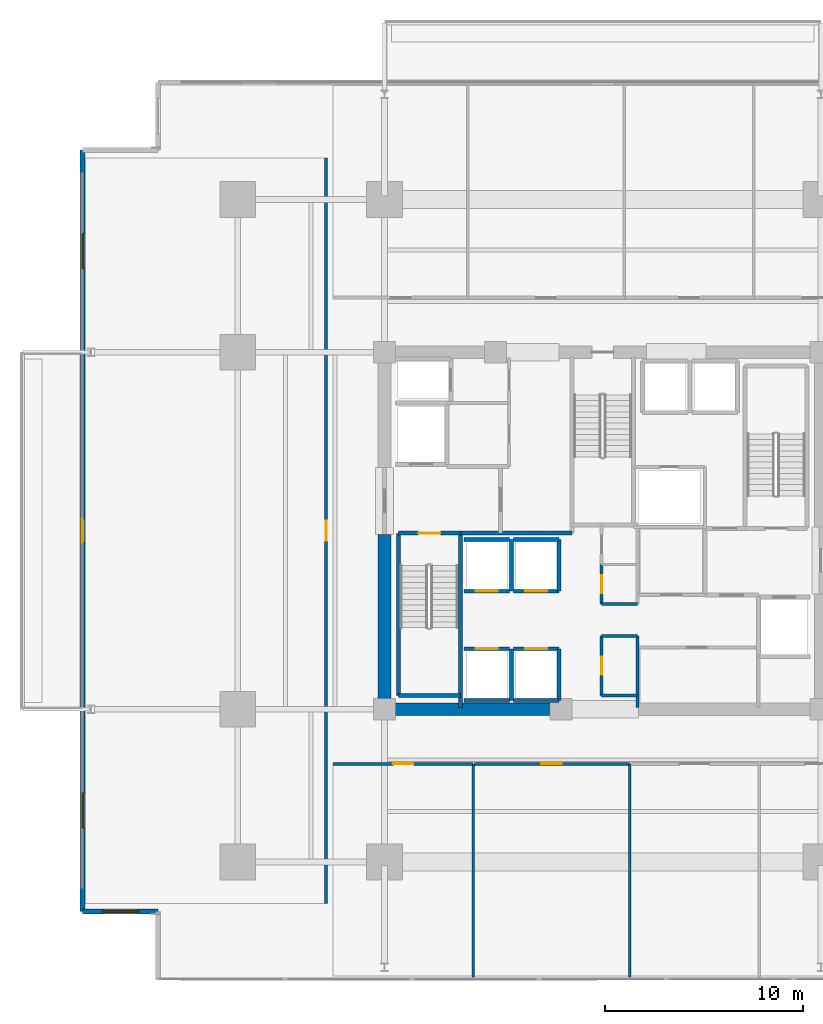
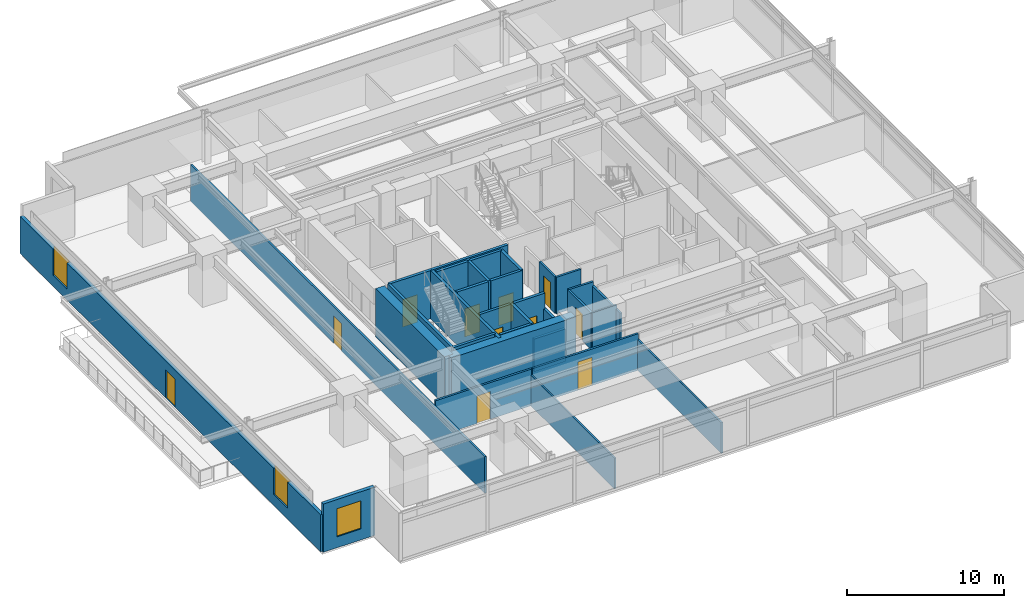
# One storey, part 15 of 22: 32 walls, 11 doors, 3 windows, 14 openings.
"""IFC4 building model written with IfcOpenShell, lengths in metres."""

import ifcopenshell
import ifcopenshell.guid

model = None  # the IFC model being written
_history = None  # IfcOwnerHistory: only IFC2X3 demands one
_inside = {}  # id of a spatial element -> (the spatial element, [elements in it])
_under = {}  # id of a project, library or spatial element -> (it, [spatial elements below it])
_declared = {}  # id of a project -> (the project, [libraries it declares])
_typed = {}  # id of a type object -> (the type object, [elements of that type])
_made_of = {}  # id of a material, layer set ... -> (it, [elements and type objects made of it])


def new_model(schema):
    """Start an empty IFC model of exactly this schema.

    Asked for "IFC4X3", IfcOpenShell would pick the latest addendum, in which some entities
    have other attributes; the version numbers below select the first issue.
    IFC2X3 requires an IfcOwnerHistory on every rooted entity: one is made here for all.
    """
    global model, _history
    if schema == "IFC4X3":
        model = ifcopenshell.file(schema_version=(4, 3, 0, 0))
    else:
        model = ifcopenshell.file(schema=schema)
    _inside.clear()
    _under.clear()
    _declared.clear()
    _typed.clear()
    _made_of.clear()
    _history = None
    if model.schema == "IFC2X3":
        org = make("IfcOrganization", Name="unknown")
        user = make(
            "IfcPersonAndOrganization",
            ThePerson=make("IfcPerson", FamilyName="unknown"),
            TheOrganization=org,
        )
        app = make(
            "IfcApplication",
            ApplicationDeveloper=org,
            Version="unknown",
            ApplicationFullName="unknown",
            ApplicationIdentifier="unknown",
        )
        _history = make(
            "IfcOwnerHistory",
            OwningUser=user,
            OwningApplication=app,
            ChangeAction="ADDED",
            CreationDate=0,
        )
    return model


def make(cls, **values):
    """One entity of the class cls with the attributes given. An attribute that is None is left unset."""
    return model.create_entity(
        cls, **{name: value for name, value in values.items() if value is not None}
    )


def rooted(cls, **values):
    """An entity with a GlobalId (a new one), such as an element, a storey or a relation."""
    return make(cls, GlobalId=ifcopenshell.guid.new(), OwnerHistory=_history, **values)


def si_unit(unit_type, name, prefix=None):
    """IfcSIUnit, for example si_unit("LENGTHUNIT", "METRE", prefix="MILLI")."""
    return make("IfcSIUnit", UnitType=unit_type, Prefix=prefix, Name=name)


def assignment(units):
    """IfcUnitAssignment: the units of a project."""
    return None if units is None else make("IfcUnitAssignment", Units=units)


def point(xyz):
    """IfcCartesianPoint."""
    return None if xyz is None else make("IfcCartesianPoint", Coordinates=xyz)


def direction(xyz):
    """IfcDirection."""
    return None if xyz is None else make("IfcDirection", DirectionRatios=xyz)


def frame(location, z_axis=None, x_axis=None):
    """IfcAxis2Placement3D, a coordinate frame: its origin and axes. An axis left out is left unset."""
    return make(
        "IfcAxis2Placement3D",
        Location=point(location),
        Axis=direction(z_axis),
        RefDirection=direction(x_axis),
    )


def frame_2d(location, x_axis=None):
    """IfcAxis2Placement2D, a coordinate frame in the plane: its origin and x axis."""
    return make(
        "IfcAxis2Placement2D", Location=point(location), RefDirection=direction(x_axis)
    )


def origin():
    """The frame at (0, 0, 0) with its axes left unset."""
    return frame((0.0, 0.0, 0.0))


def place(relative_to, where):
    """IfcLocalPlacement: puts the frame where relative to a parent placement (None: the world)."""
    return make(
        "IfcLocalPlacement", PlacementRelTo=relative_to, RelativePlacement=where
    )


def context(
    kind, dimensions, precision=None, world=None, true_north=None, identifier=None
):
    """IfcGeometricRepresentationContext, for example the 3D "Model" context."""
    return make(
        "IfcGeometricRepresentationContext",
        ContextIdentifier=identifier,
        ContextType=kind,
        CoordinateSpaceDimension=dimensions,
        Precision=precision,
        WorldCoordinateSystem=world,
        TrueNorth=true_north,
    )


def subcontext(parent, identifier, kind, view, scale=None):
    """IfcGeometricRepresentationSubContext, for example "Body" below "Model"."""
    return make(
        "IfcGeometricRepresentationSubContext",
        ContextIdentifier=identifier,
        ContextType=kind,
        ParentContext=parent,
        TargetScale=scale,
        TargetView=view,
    )


def project(units=None, contexts=None):
    """IfcProject with its units and contexts."""
    return rooted(
        "IfcProject",
        Name="project",
        RepresentationContexts=contexts,
        UnitsInContext=assignment(units),
    )


def spatial(cls, under=None, at=None, **own):
    """A site, building, storey or space (cls), placed at a placement, below another one or the project."""
    s = rooted(cls, ObjectPlacement=at, **own)
    if under is not None:
        _under.setdefault(under.id(), (under, []))[1].append(s)
    return s


def profile(cls, at=None, kind="AREA", **sizes):
    """A parametric profile (cls). Its sizes go by their IFC names, for example OverallWidth=200.0."""
    return make(cls, ProfileType=kind, Position=at, **sizes)


def rectangle(**sizes):
    """IfcRectangleProfileDef."""
    return profile("IfcRectangleProfileDef", **sizes)


def extrude(swept, where, along, depth):
    """IfcExtrudedAreaSolid: the profile swept, set in the frame where, extruded along a direction by depth."""
    return make(
        "IfcExtrudedAreaSolid",
        SweptArea=swept,
        Position=where,
        ExtrudedDirection=direction(along),
        Depth=depth,
    )


def shape(context_of_items, identifier, shape_type, items):
    """IfcShapeRepresentation: the items that make up one representation, for example the "Body"."""
    return make(
        "IfcShapeRepresentation",
        ContextOfItems=context_of_items,
        RepresentationIdentifier=identifier,
        RepresentationType=shape_type,
        Items=items,
    )


def material(Name=None, Category=None):
    """IfcMaterial."""
    return make("IfcMaterial", Name=Name, Category=Category)


def layer(
    of_material, thickness, ventilated=None, Name=None, Category=None, Priority=None
):
    """IfcMaterialLayer: one layer of a wall or slab, of a material (None: an air gap)."""
    return make(
        "IfcMaterialLayer",
        Material=of_material,
        LayerThickness=thickness,
        IsVentilated=ventilated,
        Name=Name,
        Category=Category,
        Priority=Priority,
    )


def layer_set(layers, Name=None):
    """IfcMaterialLayerSet."""
    return make("IfcMaterialLayerSet", MaterialLayers=layers, LayerSetName=Name)


def made_of(thing, what):
    """Note that an element or type object is made of a material, layer set ...; save() writes the relation."""
    if what is not None:
        _made_of.setdefault(what.id(), (what, []))[1].append(thing)
    return thing


def type_object(cls, material=None, **own):
    """A type object (cls), such as IfcWallType, which elements share."""
    return made_of(rooted(cls, **own), material)


def element(
    cls,
    number,
    at=None,
    inside=None,
    cuts=None,
    type_object=None,
    material=None,
    context=None,
    identifier="Body",
    shape_type=None,
    held_by="IfcProductDefinitionShape",
    body=None,
    shapes=None,
    **own,
):
    """One element of the class cls, such as IfcWall. Its Tag is "e" and its number.

    at: its placement. inside: the storey or other place that contains it. cuts: it is an
    opening in that element (IfcRelVoidsElement). A single representation is given by context,
    identifier, shape_type and body (its items); several are given by shapes. held_by: the class
    of the entity that holds the representations. save() writes the other relations.
    """
    e = rooted(cls, Tag="e%d" % number, ObjectPlacement=at, **own)
    if body is not None:
        shapes = [shape(context, identifier, shape_type, body)]
    if shapes is not None:
        e.Representation = make(held_by, Representations=shapes)
    if inside is not None:
        _inside.setdefault(inside.id(), (inside, []))[1].append(e)
    if cuts is not None:
        rooted(
            "IfcRelVoidsElement", RelatingBuildingElement=cuts, RelatedOpeningElement=e
        )
    if type_object is not None:
        _typed.setdefault(type_object.id(), (type_object, []))[1].append(e)
    return made_of(e, material)


def fill(opening, filler):
    """IfcRelFillsElement: the door or window that sits in an opening."""
    return rooted(
        "IfcRelFillsElement",
        RelatingOpeningElement=opening,
        RelatedBuildingElement=filler,
    )


def aggregate(whole, parts):
    """IfcRelAggregates: a whole, such as a stair, and the parts it consists of."""
    return rooted("IfcRelAggregates", RelatingObject=whole, RelatedObjects=parts)


def save(model, path):
    """Write the relations noted so far, then the file.

    IfcRelAggregates (storeys below a building ...), IfcRelContainedInSpatialStructure (elements
    in a storey), IfcRelDefinesByType, IfcRelAssociatesMaterial and IfcRelDeclares: one each for
    every whole, place, type object, material and project.
    """
    for whole, parts in _under.values():
        aggregate(whole, parts)
    for where, things in _inside.values():
        rooted(
            "IfcRelContainedInSpatialStructure",
            RelatedElements=things,
            RelatingStructure=where,
        )
    for kind, things in _typed.values():
        rooted("IfcRelDefinesByType", RelatedObjects=things, RelatingType=kind)
    for what, things in _made_of.values():
        rooted("IfcRelAssociatesMaterial", RelatedObjects=things, RelatingMaterial=what)
    for by, libraries in _declared.values():
        rooted("IfcRelDeclares", RelatingContext=by, RelatedDefinitions=libraries)
    model.write(path)


model = new_model("IFC4")

# Units and contexts
model_context = context("Model", 3, precision=1e-05, world=origin(), true_north=direction((0.0, 1.0)))
body_context = subcontext(model_context, "Body", "Model", "MODEL_VIEW")
ifc_project = project(units=[si_unit("LENGTHUNIT", "METRE"), si_unit("AREAUNIT", "SQUARE_METRE"), si_unit("VOLUMEUNIT", "CUBIC_METRE"), si_unit("PLANEANGLEUNIT", "RADIAN"), si_unit("MASSUNIT", "GRAM", prefix="KILO")], contexts=[model_context])

# Site, building, storey
site_placement = place(None, origin())
site = spatial("IfcSite", under=ifc_project, at=site_placement, CompositionType="ELEMENT")
building_placement = place(site_placement, origin())
building = spatial("IfcBuilding", under=site, at=building_placement, Name="Kovane Verandah Tower", CompositionType="ELEMENT")
storey_placement = place(building_placement, frame((0.0, 0.0, 79.60009765625)))
storey = spatial("IfcBuildingStorey", under=building, at=storey_placement, Name="L18", CompositionType="ELEMENT", Elevation=79.60009765625)

# Walls
ifc_material_1 = material(Name="Fire-Rated Gypsum Stud Partition", Category="gypsum")
ifc_layer_1 = layer(ifc_material_1, 0.14990234375)
ifc_layer_set_1 = layer_set([ifc_layer_1], Name="Fire-Rated Gypsum Stud Partition")
wall_type_1 = type_object("IfcWallType", Name="WL-COR-150", PredefinedType="PARTITIONING", material=ifc_layer_set_1)
for number, where, z_axis, x_axis, name in (
    (1, (39.949951171875, 19.199951171875, 0.0), (0.0, 0.0, 1.0), (1.0, 0.0, 0.0), "L18 Central Core Strip South Wall"),
    (2, (39.949951171875, 22.199951171875, 0.0), (0.0, 0.0, 1.0), (1.0, 0.0, 0.0), "L18 Core Cross-Passage South Wall"),
    (3, (39.949951171875, 23.800048828125, 0.0), (0.0, 0.0, 1.0), (1.0, 0.0, 0.0), "L18 Core Cross-Passage North Wall"),
):
    element("IfcWall", number, at=place(storey_placement, frame(where, z_axis=z_axis, x_axis=x_axis)), inside=storey, type_object=wall_type_1, Name=name, PredefinedType="PARTITIONING", context=body_context, shape_type="SweptSolid", body=[
        extrude(rectangle(XDim=1.81005859375, YDim=0.14990234375, at=frame_2d((0.905029296875, 0.0))), origin(), (0.0, 0.0, 1.0), 2.849853515625),
    ])
wall_1_placement = place(storey_placement, frame((41.760009765625, 18.60009765625, 0.0), z_axis=(0.0, 0.0, 1.0), x_axis=(0.0, 1.0, 0.0)))
element("IfcWall", 4, at=wall_1_placement, inside=storey, type_object=wall_type_1, Name="L18 Central Core Strip Lower East Wall", PredefinedType="PARTITIONING", context=body_context, shape_type="SweptSolid", body=[
    extrude(rectangle(XDim=3.599853515625, YDim=0.14990234375, at=frame_2d((1.7998046875, 0.0))), origin(), (0.0, 0.0, 1.0), 2.539794921875),
])

# Wall, opening, door
wall_2_placement = place(storey_placement, frame((39.949951171875, 19.199951171875, 0.0), z_axis=(0.0, 0.0, 1.0), x_axis=(0.0, 1.0, 0.0)))
wall_2 = element("IfcWall", 5, at=wall_2_placement, inside=storey, type_object=wall_type_1, Name="L18 Male Toilet Partition", PredefinedType="PARTITIONING", context=body_context, shape_type="SweptSolid", body=[
    extrude(rectangle(XDim=3.0, YDim=0.14990234375, at=frame_2d((1.5, 0.0))), origin(), (0.0, 0.0, 1.0), 2.849853515625),
])
opening_1_placement = place(wall_2_placement, frame((1.050048828125, 0.0, 0.0)))
opening_1 = element("IfcOpeningElement", 6, at=opening_1_placement, cuts=wall_2, Name="Opening DR-L18-028", PredefinedType="OPENING", context=body_context, shape_type="SweptSolid", body=[
    extrude(rectangle(XDim=0.89990234375, YDim=2.10009765625, at=frame_2d((0.449951171875, 1.050048828125))), frame((0.0, 0.074951171875, 0.0), z_axis=(0.0, -1.0, 0.0), x_axis=(1.0, 0.0, 0.0)), (0.0, 0.0, 1.0), 0.14990234375),
])
ifc_material_2 = material(Name="Moisture-Resistant Laminate Washroom Door", Category="wood")
door_type_1 = type_object("IfcDoorType", Name="DR-WC-900", OperationType="SINGLE_SWING_LEFT", PredefinedType="DOOR", material=ifc_material_2)
door_1_placement = place(opening_1_placement, origin())
door_1 = element("IfcDoor", 7, at=door_1_placement, inside=storey, type_object=door_type_1, Name="L18 Male Toilet Door", OperationType="SINGLE_SWING_RIGHT", OverallHeight=2.10009765625, OverallWidth=0.89990234375, PredefinedType="DOOR", context=body_context, shape_type="SweptSolid", body=[
    extrude(rectangle(XDim=0.89990234375, YDim=2.10009765625, at=frame_2d((0.449951171875, 1.050048828125))), frame((0.0, 0.02490234375, 0.0), z_axis=(0.0, -1.0, 0.0), x_axis=(1.0, 0.0, 0.0)), (0.0, 0.0, 1.0), 0.050048828125),
])
fill(opening_1, door_1)

wall_3_placement = place(storey_placement, frame((39.949951171875, 23.800048828125, 0.0), z_axis=(0.0, 0.0, 1.0), x_axis=(0.0, 1.0, 0.0)))
wall_3 = element("IfcWall", 8, at=wall_3_placement, inside=storey, type_object=wall_type_1, Name="L18 Female Toilet Partition", PredefinedType="PARTITIONING", context=body_context, shape_type="SweptSolid", body=[
    extrude(rectangle(XDim=2.0, YDim=0.14990234375, at=frame_2d((1.0, 0.0))), origin(), (0.0, 0.0, 1.0), 2.849853515625),
])
opening_2_placement = place(wall_3_placement, frame((0.550048828125, 0.0, 0.0)))
opening_2 = element("IfcOpeningElement", 9, at=opening_2_placement, cuts=wall_3, Name="Opening DR-L18-027", PredefinedType="OPENING", context=body_context, shape_type="SweptSolid", body=[
    extrude(rectangle(XDim=0.89990234375, YDim=2.10009765625, at=frame_2d((0.449951171875, 1.050048828125))), frame((0.0, 0.074951171875, 0.0), z_axis=(0.0, -1.0, 0.0), x_axis=(1.0, 0.0, 0.0)), (0.0, 0.0, 1.0), 0.14990234375),
])
door_2_placement = place(opening_2_placement, origin())
door_2 = element("IfcDoor", 10, at=door_2_placement, inside=storey, type_object=door_type_1, Name="L18 Female Toilet Door", OperationType="SINGLE_SWING_LEFT", OverallHeight=2.10009765625, OverallWidth=0.89990234375, PredefinedType="DOOR", context=body_context, shape_type="SweptSolid", body=[
    extrude(rectangle(XDim=0.89990234375, YDim=2.10009765625, at=frame_2d((0.449951171875, 1.050048828125))), frame((0.0, 0.02490234375, 0.0), z_axis=(0.0, -1.0, 0.0), x_axis=(1.0, 0.0, 0.0)), (0.0, 0.0, 1.0), 0.050048828125),
])
fill(opening_2, door_2)

wall_4_placement = place(storey_placement, frame((26.39990234375, 15.75, 0.0), z_axis=(0.0, 0.0, 1.0), x_axis=(1.0, 0.0, 0.0)))
wall_4 = element("IfcWall", 11, at=wall_4_placement, inside=storey, type_object=wall_type_1, Name="L18 Open Plan Office S1 Corridor Partition", PredefinedType="PARTITIONING", context=body_context, shape_type="SweptSolid", body=[
    extrude(rectangle(XDim=7.072021484375, YDim=0.14990234375, at=frame_2d((3.5361328125, 0.0))), origin(), (0.0, 0.0, 1.0), 2.849853515625),
])
opening_3_placement = place(wall_4_placement, frame((3.051025390625, 0.0, 0.0)))
opening_3 = element("IfcOpeningElement", 12, at=opening_3_placement, cuts=wall_4, Name="Opening DR-L18-021", PredefinedType="OPENING", context=body_context, shape_type="SweptSolid", body=[
    extrude(rectangle(XDim=1.0, YDim=2.14990234375, at=frame_2d((0.5, 1.074951171875))), frame((0.0, 0.074951171875, 0.0), z_axis=(0.0, -1.0, 0.0), x_axis=(1.0, 0.0, 0.0)), (0.0, 0.0, 1.0), 0.14990234375),
])
ifc_material_3 = material(Name="FSC Spotted-Gum Timber Fire-Rated Office Door", Category="wood")
door_type_2 = type_object("IfcDoorType", Name="DR-OFF-1000", OperationType="SINGLE_SWING_LEFT", PredefinedType="DOOR", material=ifc_material_3)
door_3_placement = place(opening_3_placement, origin())
door_3 = element("IfcDoor", 13, at=door_3_placement, inside=storey, type_object=door_type_2, Name="L18 Open Plan Office S1 Entrance Door", OperationType="SINGLE_SWING_RIGHT", OverallHeight=2.14990234375, OverallWidth=1.0, PredefinedType="DOOR", context=body_context, shape_type="SweptSolid", body=[
    extrude(rectangle(XDim=1.0, YDim=2.14990234375, at=frame_2d((0.5, 1.074951171875))), frame((0.0, 0.02490234375, 0.0), z_axis=(0.0, -1.0, 0.0), x_axis=(1.0, 0.0, 0.0)), (0.0, 0.0, 1.0), 0.050048828125),
])
fill(opening_3, door_3)

wall_5_placement = place(storey_placement, frame((33.5419921875, 15.75, 0.0), z_axis=(0.0, 0.0, 1.0), x_axis=(1.0, 0.0, 0.0)))
wall_5 = element("IfcWall", 14, at=wall_5_placement, inside=storey, type_object=wall_type_1, Name="L18 Executive Office S2 Corridor Partition", PredefinedType="PARTITIONING", context=body_context, shape_type="SweptSolid", body=[
    extrude(rectangle(XDim=7.818115234375, YDim=0.14990234375, at=frame_2d((3.9091796875, 0.0))), origin(), (0.0, 0.0, 1.0), 2.849853515625),
])
opening_4_placement = place(wall_5_placement, frame((3.34912109375, 0.0, 0.0)))
opening_4 = element("IfcOpeningElement", 15, at=opening_4_placement, cuts=wall_5, Name="Opening DR-L18-022", PredefinedType="OPENING", context=body_context, shape_type="SweptSolid", body=[
    extrude(rectangle(XDim=1.050048828125, YDim=2.199951171875, at=frame_2d((0.52490234375, 1.10009765625))), frame((0.0, 0.074951171875, 0.0), z_axis=(0.0, -1.0, 0.0), x_axis=(1.0, 0.0, 0.0)), (0.0, 0.0, 1.0), 0.14990234375),
])
ifc_material_4 = material(Name="FSC Blackbutt Timber Fire-Rated Executive Door", Category="wood")
door_type_3 = type_object("IfcDoorType", Name="DR-EXEC-1050", OperationType="SINGLE_SWING_LEFT", PredefinedType="DOOR", material=ifc_material_4)
door_4_placement = place(opening_4_placement, origin())
door_4 = element("IfcDoor", 16, at=door_4_placement, inside=storey, type_object=door_type_3, Name="L18 Executive Office S2 Entrance Door", OperationType="SINGLE_SWING_LEFT", OverallHeight=2.199951171875, OverallWidth=1.050048828125, PredefinedType="DOOR", context=body_context, shape_type="SweptSolid", body=[
    extrude(rectangle(XDim=1.050048828125, YDim=2.199951171875, at=frame_2d((0.52490234375, 1.10009765625))), frame((0.0, 0.02490234375, 0.0), z_axis=(0.0, -1.0, 0.0), x_axis=(1.0, 0.0, 0.0)), (0.0, 0.0, 1.0), 0.050048828125),
])
fill(opening_4, door_4)

wall_6_placement = place(storey_placement, frame((26.050048828125, 8.699951171875, 0.0), z_axis=(0.0, 0.0, 1.0), x_axis=(0.0, 1.0, 0.0)))
wall_6 = element("IfcWall", 17, at=wall_6_placement, inside=storey, type_object=wall_type_1, Name="L18 Focus Studio W1 Corridor Partition", PredefinedType="PARTITIONING", context=body_context, shape_type="SweptSolid", body=[
    extrude(rectangle(XDim=37.60009765625, YDim=0.14990234375, at=frame_2d((18.800048828125, 0.0))), origin(), (0.0, 0.0, 1.0), 2.849853515625),
])
opening_5_placement = place(wall_6_placement, frame((18.300048828125, 0.0, 0.0)))
opening_5 = element("IfcOpeningElement", 18, at=opening_5_placement, cuts=wall_6, Name="Opening DR-L18-029", PredefinedType="OPENING", context=body_context, shape_type="SweptSolid", body=[
    extrude(rectangle(XDim=1.0, YDim=2.14990234375, at=frame_2d((0.5, 1.074951171875))), frame((0.0, 0.074951171875, 0.0), z_axis=(0.0, -1.0, 0.0), x_axis=(1.0, 0.0, 0.0)), (0.0, 0.0, 1.0), 0.14990234375),
])
door_5_placement = place(opening_5_placement, origin())
door_5 = element("IfcDoor", 19, at=door_5_placement, inside=storey, type_object=door_type_2, Name="L18 Focus Studio W1 Entrance Door", OperationType="SINGLE_SWING_RIGHT", OverallHeight=2.14990234375, OverallWidth=1.0, PredefinedType="DOOR", context=body_context, shape_type="SweptSolid", body=[
    extrude(rectangle(XDim=1.0, YDim=2.14990234375, at=frame_2d((0.5, 1.074951171875))), frame((0.0, 0.02490234375, 0.0), z_axis=(0.0, -1.0, 0.0), x_axis=(1.0, 0.0, 0.0)), (0.0, 0.0, 1.0), 0.050048828125),
])
fill(opening_5, door_5)

# Walls
ifc_material_5 = material(Name="Concrete C80/95", Category="concrete")
ifc_layer_2 = layer(ifc_material_5, 0.64990234375)
ifc_layer_set_2 = layer_set([ifc_layer_2], Name="Concrete C80/95")
wall_type_2 = type_object("IfcWallType", Name="WL-CORE-650", PredefinedType="SHEAR", material=ifc_layer_set_2)
wall_7_placement = place(storey_placement, frame((29.0, 18.5, 0.0), z_axis=(0.0, 0.0, 1.0), x_axis=(1.0, 0.0, 0.0)))
element("IfcWall", 20, at=wall_7_placement, inside=storey, type_object=wall_type_2, Name="L18 Core Shear Wall CS-1", PredefinedType="SHEAR", context=body_context, shape_type="SweptSolid", body=[
    extrude(rectangle(XDim=9.199951171875, YDim=0.64990234375, at=frame_2d((4.60009765625, 0.0))), origin(), (0.0, 0.0, 1.0), 3.760009765625),
])
wall_8_placement = place(storey_placement, frame((29.0, 18.5, 0.0), z_axis=(0.0, 0.0, 1.0), x_axis=(0.0, 1.0, 0.0)))
element("IfcWall", 21, at=wall_8_placement, inside=storey, type_object=wall_type_2, Name="L18 Core Shear Wall CW-1", PredefinedType="SHEAR", context=body_context, shape_type="SweptSolid", body=[
    extrude(rectangle(XDim=8.800048828125, YDim=0.64990234375, at=frame_2d((4.39990234375, 0.0))), origin(), (0.0, 0.0, 1.0), 3.760009765625),
])
ifc_material_6 = material(Name="Concrete C45/55 Fire Wall", Category="concrete")
ifc_layer_3 = layer(ifc_material_6, 0.199951171875)
ifc_layer_set_3 = layer_set([ifc_layer_3], Name="Concrete C45/55 Fire Wall")
wall_type_3 = type_object("IfcWallType", Name="WL-FFL-200", PredefinedType="PARTITIONING", material=ifc_layer_set_3)
wall_9_placement = place(storey_placement, frame((32.820068359375, 27.3798828125, 0.0), z_axis=(0.0, 0.0, 1.0), x_axis=(1.0, 0.0, 0.0)))
element("IfcWall", 22, at=wall_9_placement, inside=storey, type_object=wall_type_3, Name="L18 West Firefighting Lobby South Fire Wall", PredefinedType="PARTITIONING", context=body_context, shape_type="SweptSolid", body=[
    extrude(rectangle(XDim=5.619873046875, YDim=0.199951171875, at=frame_2d((2.81005859375, 0.0))), origin(), (0.0, 0.0, 1.0), 3.760009765625),
])
ifc_material_7 = material(Name="Concrete C45/55 Lift Shaft Wall", Category="concrete")
ifc_layer_4 = layer(ifc_material_7, 0.199951171875)
ifc_layer_set_4 = layer_set([ifc_layer_4], Name="Concrete C45/55 Lift Shaft Wall")
wall_type_4 = type_object("IfcWallType", Name="WL-LIFT-200", PredefinedType="SOLIDWALL", material=ifc_layer_set_4)
wall_10_placement = place(storey_placement, frame((33.0, 18.949951171875, 0.0), z_axis=(0.0, 0.0, 1.0), x_axis=(1.0, 0.0, 0.0)))
element("IfcWall", 23, at=wall_10_placement, inside=storey, type_object=wall_type_4, Name="L18 Lift PL-L1 S Shaft Wall", PredefinedType="SOLIDWALL", context=body_context, shape_type="SweptSolid", body=[
    extrude(rectangle(XDim=2.300048828125, YDim=0.199951171875, at=frame_2d((1.14990234375, 0.0))), origin(), (0.0, 0.0, 1.0), 3.760009765625),
])

# Wall, opening, door
wall_11_placement = place(storey_placement, frame((35.300048828125, 21.550048828125, 0.0), z_axis=(0.0, 0.0, 1.0), x_axis=(-1.0, 0.0, 0.0)))
wall_11 = element("IfcWall", 24, at=wall_11_placement, inside=storey, type_object=wall_type_4, Name="L18 Lift PL-L1 N Shaft Wall", PredefinedType="SOLIDWALL", context=body_context, shape_type="SweptSolid", body=[
    extrude(rectangle(XDim=2.300048828125, YDim=0.199951171875, at=frame_2d((1.14990234375, 0.0))), origin(), (0.0, 0.0, 1.0), 3.760009765625),
])
opening_6_placement = place(wall_11_placement, frame((0.60009765625, 0.0, 0.0)))
opening_6 = element("IfcOpeningElement", 25, at=opening_6_placement, cuts=wall_11, Name="Opening LD-L18-004", PredefinedType="OPENING", context=body_context, shape_type="SweptSolid", body=[
    extrude(rectangle(XDim=1.10009765625, YDim=2.199951171875, at=frame_2d((0.550048828125, 1.10009765625))), frame((0.0, 0.10009765625, 0.0), z_axis=(0.0, -1.0, 0.0), x_axis=(1.0, 0.0, 0.0)), (0.0, 0.0, 1.0), 0.199951171875),
])
ifc_material_8 = material(Name="Brushed Stainless Steel Sliding Lift Landing Door", Category="steel")
door_type_4 = type_object("IfcDoorType", Name="DR-LIFT-1100", OperationType="SLIDING_TO_RIGHT", PredefinedType="DOOR", material=ifc_material_8)
door_6_placement = place(opening_6_placement, origin())
door_6 = element("IfcDoor", 26, at=door_6_placement, inside=storey, type_object=door_type_4, Name="L18 Lift PL-L1 Sliding Landing Door", OperationType="SLIDING_TO_RIGHT", OverallHeight=2.199951171875, OverallWidth=1.10009765625, PredefinedType="DOOR", context=body_context, shape_type="SweptSolid", body=[
    extrude(rectangle(XDim=1.10009765625, YDim=2.199951171875, at=frame_2d((0.550048828125, 1.10009765625))), frame((0.0, 0.02490234375, 0.0), z_axis=(0.0, -1.0, 0.0), x_axis=(1.0, 0.0, 0.0)), (0.0, 0.0, 1.0), 0.050048828125),
])
fill(opening_6, door_6)

# Walls
wall_12_placement = place(storey_placement, frame((35.39990234375, 18.949951171875, 0.0), z_axis=(0.0, 0.0, 1.0), x_axis=(0.0, 1.0, 0.0)))
element("IfcWall", 27, at=wall_12_placement, inside=storey, type_object=wall_type_4, Name="L18 Lift PL-L1 and PL-L2 Shared Shaft Wall", PredefinedType="SOLIDWALL", context=body_context, shape_type="SweptSolid", body=[
    extrude(rectangle(XDim=2.60009765625, YDim=0.199951171875, at=frame_2d((1.300048828125, 0.0))), origin(), (0.0, 0.0, 1.0), 3.760009765625),
])
wall_13_placement = place(storey_placement, frame((35.5, 18.949951171875, 0.0), z_axis=(0.0, 0.0, 1.0), x_axis=(1.0, 0.0, 0.0)))
element("IfcWall", 28, at=wall_13_placement, inside=storey, type_object=wall_type_4, Name="L18 Lift PL-L2 S Shaft Wall", PredefinedType="SOLIDWALL", context=body_context, shape_type="SweptSolid", body=[
    extrude(rectangle(XDim=2.300048828125, YDim=0.199951171875, at=frame_2d((1.14990234375, 0.0))), origin(), (0.0, 0.0, 1.0), 2.539794921875),
])

# Wall, opening, door
wall_14_placement = place(storey_placement, frame((37.800048828125, 21.550048828125, 0.0), z_axis=(0.0, 0.0, 1.0), x_axis=(-1.0, 0.0, 0.0)))
wall_14 = element("IfcWall", 29, at=wall_14_placement, inside=storey, type_object=wall_type_4, Name="L18 Lift PL-L2 N Shaft Wall", PredefinedType="SOLIDWALL", context=body_context, shape_type="SweptSolid", body=[
    extrude(rectangle(XDim=2.300048828125, YDim=0.199951171875, at=frame_2d((1.14990234375, 0.0))), origin(), (0.0, 0.0, 1.0), 3.760009765625),
])
opening_7_placement = place(wall_14_placement, frame((0.60009765625, 0.0, 0.0)))
opening_7 = element("IfcOpeningElement", 30, at=opening_7_placement, cuts=wall_14, Name="Opening LD-L18-005", PredefinedType="OPENING", context=body_context, shape_type="SweptSolid", body=[
    extrude(rectangle(XDim=1.10009765625, YDim=2.199951171875, at=frame_2d((0.550048828125, 1.10009765625))), frame((0.0, 0.10009765625, 0.0), z_axis=(0.0, -1.0, 0.0), x_axis=(1.0, 0.0, 0.0)), (0.0, 0.0, 1.0), 0.199951171875),
])
door_7_placement = place(opening_7_placement, origin())
door_7 = element("IfcDoor", 31, at=door_7_placement, inside=storey, type_object=door_type_4, Name="L18 Lift PL-L2 Sliding Landing Door", OperationType="SLIDING_TO_RIGHT", OverallHeight=2.199951171875, OverallWidth=1.10009765625, PredefinedType="DOOR", context=body_context, shape_type="SweptSolid", body=[
    extrude(rectangle(XDim=1.10009765625, YDim=2.199951171875, at=frame_2d((0.550048828125, 1.10009765625))), frame((0.0, 0.02490234375, 0.0), z_axis=(0.0, -1.0, 0.0), x_axis=(1.0, 0.0, 0.0)), (0.0, 0.0, 1.0), 0.050048828125),
])
fill(opening_7, door_7)

# Wall
wall_15_placement = place(storey_placement, frame((37.800048828125, 18.949951171875, 0.0), z_axis=(0.0, 0.0, 1.0), x_axis=(0.0, 1.0, 0.0)))
element("IfcWall", 32, at=wall_15_placement, inside=storey, type_object=wall_type_4, Name="L18 Lift PL-L2 E Shaft Wall", PredefinedType="SOLIDWALL", context=body_context, shape_type="SweptSolid", body=[
    extrude(rectangle(XDim=2.60009765625, YDim=0.199951171875, at=frame_2d((1.300048828125, 0.0))), origin(), (0.0, 0.0, 1.0), 2.539794921875),
])

# Wall, opening, door
wall_16_placement = place(storey_placement, frame((33.0, 24.449951171875, 0.0), z_axis=(0.0, 0.0, 1.0), x_axis=(1.0, 0.0, 0.0)))
wall_16 = element("IfcWall", 33, at=wall_16_placement, inside=storey, type_object=wall_type_4, Name="L18 Lift PL-L3 S Shaft Wall", PredefinedType="SOLIDWALL", context=body_context, shape_type="SweptSolid", body=[
    extrude(rectangle(XDim=2.300048828125, YDim=0.199951171875, at=frame_2d((1.14990234375, 0.0))), origin(), (0.0, 0.0, 1.0), 3.760009765625),
])
opening_8_placement = place(wall_16_placement, frame((0.60009765625, 0.0, 0.0)))
opening_8 = element("IfcOpeningElement", 34, at=opening_8_placement, cuts=wall_16, Name="Opening LD-L18-006", PredefinedType="OPENING", context=body_context, shape_type="SweptSolid", body=[
    extrude(rectangle(XDim=1.10009765625, YDim=2.199951171875, at=frame_2d((0.550048828125, 1.10009765625))), frame((0.0, 0.10009765625, 0.0), z_axis=(0.0, -1.0, 0.0), x_axis=(1.0, 0.0, 0.0)), (0.0, 0.0, 1.0), 0.199951171875),
])
door_8_placement = place(opening_8_placement, origin())
door_8 = element("IfcDoor", 35, at=door_8_placement, inside=storey, type_object=door_type_4, Name="L18 Lift PL-L3 Sliding Landing Door", OperationType="SLIDING_TO_RIGHT", OverallHeight=2.199951171875, OverallWidth=1.10009765625, PredefinedType="DOOR", context=body_context, shape_type="SweptSolid", body=[
    extrude(rectangle(XDim=1.10009765625, YDim=2.199951171875, at=frame_2d((0.550048828125, 1.10009765625))), frame((0.0, 0.02490234375, 0.0), z_axis=(0.0, -1.0, 0.0), x_axis=(1.0, 0.0, 0.0)), (0.0, 0.0, 1.0), 0.050048828125),
])
fill(opening_8, door_8)

# Walls
wall_17_placement = place(storey_placement, frame((35.300048828125, 27.050048828125, 0.0), z_axis=(0.0, 0.0, 1.0), x_axis=(-1.0, 0.0, 0.0)))
element("IfcWall", 36, at=wall_17_placement, inside=storey, type_object=wall_type_4, Name="L18 Lift PL-L3 N Shaft Wall", PredefinedType="SOLIDWALL", context=body_context, shape_type="SweptSolid", body=[
    extrude(rectangle(XDim=2.300048828125, YDim=0.199951171875, at=frame_2d((1.14990234375, 0.0))), origin(), (0.0, 0.0, 1.0), 3.760009765625),
])
wall_18_placement = place(storey_placement, frame((35.39990234375, 24.449951171875, 0.0), z_axis=(0.0, 0.0, 1.0), x_axis=(0.0, 1.0, 0.0)))
element("IfcWall", 37, at=wall_18_placement, inside=storey, type_object=wall_type_4, Name="L18 Lift PL-L3 and PL-L4 Shared Shaft Wall", PredefinedType="SOLIDWALL", context=body_context, shape_type="SweptSolid", body=[
    extrude(rectangle(XDim=2.60009765625, YDim=0.199951171875, at=frame_2d((1.300048828125, 0.0))), origin(), (0.0, 0.0, 1.0), 3.760009765625),
])

# Wall, opening, door
wall_19_placement = place(storey_placement, frame((35.5, 24.449951171875, 0.0), z_axis=(0.0, 0.0, 1.0), x_axis=(1.0, 0.0, 0.0)))
wall_19 = element("IfcWall", 38, at=wall_19_placement, inside=storey, type_object=wall_type_4, Name="L18 Lift PL-L4 S Shaft Wall", PredefinedType="SOLIDWALL", context=body_context, shape_type="SweptSolid", body=[
    extrude(rectangle(XDim=2.300048828125, YDim=0.199951171875, at=frame_2d((1.14990234375, 0.0))), origin(), (0.0, 0.0, 1.0), 3.760009765625),
])
opening_9_placement = place(wall_19_placement, frame((0.60009765625, 0.0, 0.0)))
opening_9 = element("IfcOpeningElement", 39, at=opening_9_placement, cuts=wall_19, Name="Opening LD-L18-007", PredefinedType="OPENING", context=body_context, shape_type="SweptSolid", body=[
    extrude(rectangle(XDim=1.10009765625, YDim=2.199951171875, at=frame_2d((0.550048828125, 1.10009765625))), frame((0.0, 0.10009765625, 0.0), z_axis=(0.0, -1.0, 0.0), x_axis=(1.0, 0.0, 0.0)), (0.0, 0.0, 1.0), 0.199951171875),
])
door_9_placement = place(opening_9_placement, origin())
door_9 = element("IfcDoor", 40, at=door_9_placement, inside=storey, type_object=door_type_4, Name="L18 Lift PL-L4 Sliding Landing Door", OperationType="SLIDING_TO_RIGHT", OverallHeight=2.199951171875, OverallWidth=1.10009765625, PredefinedType="DOOR", context=body_context, shape_type="SweptSolid", body=[
    extrude(rectangle(XDim=1.10009765625, YDim=2.199951171875, at=frame_2d((0.550048828125, 1.10009765625))), frame((0.0, 0.02490234375, 0.0), z_axis=(0.0, -1.0, 0.0), x_axis=(1.0, 0.0, 0.0)), (0.0, 0.0, 1.0), 0.050048828125),
])
fill(opening_9, door_9)

# Walls
wall_20_placement = place(storey_placement, frame((37.800048828125, 27.050048828125, 0.0), z_axis=(0.0, 0.0, 1.0), x_axis=(-1.0, 0.0, 0.0)))
element("IfcWall", 41, at=wall_20_placement, inside=storey, type_object=wall_type_4, Name="L18 Lift PL-L4 N Shaft Wall", PredefinedType="SOLIDWALL", context=body_context, shape_type="SweptSolid", body=[
    extrude(rectangle(XDim=2.300048828125, YDim=0.199951171875, at=frame_2d((1.14990234375, 0.0))), origin(), (0.0, 0.0, 1.0), 3.760009765625),
])
wall_21_placement = place(storey_placement, frame((37.800048828125, 24.449951171875, 0.0), z_axis=(0.0, 0.0, 1.0), x_axis=(0.0, 1.0, 0.0)))
element("IfcWall", 42, at=wall_21_placement, inside=storey, type_object=wall_type_4, Name="L18 Lift PL-L4 E Shaft Wall", PredefinedType="SOLIDWALL", context=body_context, shape_type="SweptSolid", body=[
    extrude(rectangle(XDim=2.60009765625, YDim=0.199951171875, at=frame_2d((1.300048828125, 0.0))), origin(), (0.0, 0.0, 1.0), 3.760009765625),
])
ifc_material_9 = material(Name="Acoustic Fire-Rated Gypsum Partition", Category="gypsum")
ifc_layer_5 = layer(ifc_material_9, 0.1201171875)
ifc_layer_set_5 = layer_set([ifc_layer_5], Name="Acoustic Fire-Rated Gypsum Partition")
wall_type_5 = type_object("IfcWallType", Name="WL-PART-120", PredefinedType="PARTITIONING", material=ifc_layer_set_5)
for number, where, z_axis, x_axis, name in (
    (43, (33.471923828125, 5.0, 0.0), (0.0, 0.0, 1.0), (0.0, 1.0, 0.0), "L18 Open Plan Office S1 Dividing Partition"),
    (44, (41.360107421875, 5.0, 0.0), (0.0, 0.0, 1.0), (0.0, 1.0, 0.0), "L18 Executive Office S2 Dividing Partition"),
):
    element("IfcWall", number, at=place(storey_placement, frame(where, z_axis=z_axis, x_axis=x_axis)), inside=storey, type_object=wall_type_5, Name=name, PredefinedType="PARTITIONING", context=body_context, shape_type="SweptSolid", body=[
        extrude(rectangle(XDim=10.75, YDim=0.1201171875, at=frame_2d((5.375, 0.0))), origin(), (0.0, 0.0, 1.0), 2.389892578125),
    ])
ifc_material_10 = material(Name="Concrete C45/55", Category="concrete")
ifc_layer_6 = layer(ifc_material_10, 0.199951171875)
ifc_layer_set_6 = layer_set([ifc_layer_6], Name="Concrete C45/55")
wall_type_6 = type_object("IfcWallType", Name="WL-SHAFT-200", PredefinedType="SOLIDWALL", material=ifc_layer_set_6)
wall_22_placement = place(storey_placement, frame((29.699951171875, 19.199951171875, 0.0), z_axis=(0.0, 0.0, 1.0), x_axis=(0.0, 1.0, 0.0)))
element("IfcWall", 45, at=wall_22_placement, inside=storey, type_object=wall_type_6, Name="W-L18-ST01-W", PredefinedType="SOLIDWALL", context=body_context, shape_type="SweptSolid", body=[
    extrude(rectangle(XDim=8.150146484375, YDim=0.199951171875, at=frame_2d((4.0751953125, 0.0))), origin(), (0.0, 0.0, 1.0), 3.760009765625),
])
wall_23_placement = place(storey_placement, frame((29.699951171875, 19.199951171875, 0.0), z_axis=(0.0, 0.0, 1.0), x_axis=(1.0, 0.0, 0.0)))
element("IfcWall", 46, at=wall_23_placement, inside=storey, type_object=wall_type_6, Name="W-L18-ST01-S", PredefinedType="SOLIDWALL", context=body_context, shape_type="SweptSolid", body=[
    extrude(rectangle(XDim=3.1201171875, YDim=0.199951171875, at=frame_2d((1.56005859375, 0.0))), origin(), (0.0, 0.0, 1.0), 3.760009765625),
])
wall_24_placement = place(storey_placement, frame((32.820068359375, 18.60009765625, 0.0), z_axis=(0.0, 0.0, 1.0), x_axis=(0.0, 1.0, 0.0)))
element("IfcWall", 47, at=wall_24_placement, inside=storey, type_object=wall_type_6, Name="W-L18-ST01-E", PredefinedType="SOLIDWALL", context=body_context, shape_type="SweptSolid", body=[
    extrude(rectangle(XDim=8.77978515625, YDim=0.199951171875, at=frame_2d((4.389892578125, 0.0))), origin(), (0.0, 0.0, 1.0), 3.760009765625),
])

# Wall, opening, door
wall_25_placement = place(storey_placement, frame((29.699951171875, 27.3798828125, 0.0), z_axis=(0.0, 0.0, 1.0), x_axis=(1.0, 0.0, 0.0)))
wall_25 = element("IfcWall", 48, at=wall_25_placement, inside=storey, type_object=wall_type_6, Name="W-L18-ST01-N", PredefinedType="SOLIDWALL", context=body_context, shape_type="SweptSolid", body=[
    extrude(rectangle(XDim=3.1201171875, YDim=0.199951171875, at=frame_2d((1.56005859375, 0.0))), origin(), (0.0, 0.0, 1.0), 3.760009765625),
])
opening_10_placement = place(wall_25_placement, frame((1.010009765625, 0.0, 0.0)))
opening_10 = element("IfcOpeningElement", 49, at=opening_10_placement, cuts=wall_25, Name="Opening DR-L18-009", PredefinedType="OPENING", context=body_context, shape_type="SweptSolid", body=[
    extrude(rectangle(XDim=1.10009765625, YDim=2.14990234375, at=frame_2d((0.550048828125, 1.074951171875))), frame((0.0, 0.10009765625, 0.0), z_axis=(0.0, -1.0, 0.0), x_axis=(1.0, 0.0, 0.0)), (0.0, 0.0, 1.0), 0.199951171875),
])
ifc_material_11 = material(Name="Fire-Rated Steel Exit Door", Category="steel")
door_type_5 = type_object("IfcDoorType", Name="DR-STAIR-1100", OperationType="SINGLE_SWING_LEFT", PredefinedType="DOOR", material=ifc_material_11)
door_10_placement = place(opening_10_placement, origin())
door_10 = element("IfcDoor", 50, at=door_10_placement, inside=storey, type_object=door_type_5, Name="L18 ST-01 Fire Exit Stair Door", OperationType="SINGLE_SWING_LEFT", OverallHeight=2.14990234375, OverallWidth=1.10009765625, PredefinedType="DOOR", context=body_context, shape_type="SweptSolid", body=[
    extrude(rectangle(XDim=1.10009765625, YDim=2.14990234375, at=frame_2d((0.550048828125, 1.074951171875))), frame((0.0, 0.02490234375, 0.0), z_axis=(0.0, -1.0, 0.0), x_axis=(1.0, 0.0, 0.0)), (0.0, 0.0, 1.0), 0.050048828125),
])
fill(opening_10, door_10)

# Wall, openings, door, windows
ifc_material_12 = material(Name="Concrete C45/55 Insulated Spandrel Wall", Category="concrete")
ifc_layer_7 = layer(ifc_material_12, 0.260009765625)
ifc_layer_set_7 = layer_set([ifc_layer_7], Name="Concrete C45/55 Insulated Spandrel Wall")
wall_type_7 = type_object("IfcWallType", Name="WL-SPANDREL-260", PredefinedType="PARAPET", material=ifc_layer_set_7)
wall_26_placement = place(storey_placement, frame((13.771240234375, 46.7001953125, 0.0), z_axis=(0.0, 0.0, 1.0), x_axis=(0.0, -1.0, 0.0)))
wall_26 = element("IfcWall", 51, at=wall_26_placement, inside=storey, type_object=wall_type_7, Name="L18 W Verandah Access Facade Wall", PredefinedType="PARAPET", context=body_context, shape_type="SweptSolid", body=[
    extrude(rectangle(XDim=38.400390625, YDim=0.260009765625, at=frame_2d((19.2001953125, 0.0))), origin(), (0.0, 0.0, 1.0), 2.88916015625),
])
opening_11_placement = place(wall_26_placement, frame((4.199951171875, 0.0, 0.85009765625)))
opening_11 = element("IfcOpeningElement", 52, at=opening_11_placement, cuts=wall_26, Name="Opening W-03", PredefinedType="OPENING", context=body_context, shape_type="SweptSolid", body=[
    extrude(rectangle(XDim=1.800048828125, YDim=2.199951171875, at=frame_2d((0.89990234375, 1.10009765625))), frame((0.0, 0.1298828125, 0.0), z_axis=(0.0, -1.0, 0.0), x_axis=(1.0, 0.0, 0.0)), (0.0, 0.0, 1.0), 0.260009765625),
])
opening_12_placement = place(wall_26_placement, frame((18.60009765625, 0.0, 0.0)))
opening_12 = element("IfcOpeningElement", 53, at=opening_12_placement, cuts=wall_26, Name="Opening DR-L18-002", PredefinedType="OPENING", context=body_context, shape_type="SweptSolid", body=[
    extrude(rectangle(XDim=1.199951171875, YDim=2.199951171875, at=frame_2d((0.60009765625, 1.10009765625))), frame((0.0, 0.1298828125, 0.0), z_axis=(0.0, -1.0, 0.0), x_axis=(1.0, 0.0, 0.0)), (0.0, 0.0, 1.0), 0.260009765625),
])
opening_13_placement = place(wall_26_placement, frame((32.400146484375, 0.0, 0.85009765625)))
opening_13 = element("IfcOpeningElement", 54, at=opening_13_placement, cuts=wall_26, Name="Opening W-03", PredefinedType="OPENING", context=body_context, shape_type="SweptSolid", body=[
    extrude(rectangle(XDim=1.800048828125, YDim=2.199951171875, at=frame_2d((0.89990234375, 1.10009765625))), frame((0.0, 0.1298828125, 0.0), z_axis=(0.0, -1.0, 0.0), x_axis=(1.0, 0.0, 0.0)), (0.0, 0.0, 1.0), 0.260009765625),
])
ifc_material_13 = material(Name="Cyclone-Rated Glazed Balcony Leaf Door", Category="aluminium")
door_type_6 = type_object("IfcDoorType", Name="DR-BAL-1200x2200", OperationType="SINGLE_SWING_LEFT", PredefinedType="DOOR", material=ifc_material_13)
door_11_placement = place(opening_12_placement, origin())
door_11 = element("IfcDoor", 55, at=door_11_placement, inside=storey, type_object=door_type_6, Name="L18 W Planted Balcony Access Door", OperationType="SINGLE_SWING_LEFT", OverallHeight=2.199951171875, OverallWidth=1.199951171875, PredefinedType="DOOR", context=body_context, shape_type="SweptSolid", body=[
    extrude(rectangle(XDim=1.199951171875, YDim=2.199951171875, at=frame_2d((0.60009765625, 1.10009765625))), frame((0.0, 0.02490234375, 0.0), z_axis=(0.0, -1.0, 0.0), x_axis=(1.0, 0.0, 0.0)), (0.0, 0.0, 1.0), 0.050048828125),
])
fill(opening_12, door_11)
ifc_material_14 = material(Name="Clear Low-E Laminated Double Glazing in Anodised Frame", Category="glass")
window_type = type_object("IfcWindowType", Name="WN-NOTCH-1800x2200", PartitioningType="SINGLE_PANEL", PredefinedType="WINDOW", material=ifc_material_14)
window_1_placement = place(opening_11_placement, origin())
window_1 = element("IfcWindow", 56, at=window_1_placement, inside=storey, type_object=window_type, Name="L18 W Verandah View Window 1", OverallHeight=2.199951171875, OverallWidth=1.800048828125, PartitioningType="SINGLE_PANEL", PredefinedType="WINDOW", context=body_context, shape_type="SweptSolid", body=[
    extrude(rectangle(XDim=1.800048828125, YDim=2.199951171875, at=frame_2d((0.89990234375, 1.10009765625))), frame((0.0, 0.030029296875, 0.0), z_axis=(0.0, -1.0, 0.0), x_axis=(1.0, 0.0, 0.0)), (0.0, 0.0, 1.0), 0.06005859375),
])
fill(opening_11, window_1)
window_2_placement = place(opening_13_placement, origin())
window_2 = element("IfcWindow", 57, at=window_2_placement, inside=storey, type_object=window_type, Name="L18 W Verandah View Window 2", OverallHeight=2.199951171875, OverallWidth=1.800048828125, PartitioningType="SINGLE_PANEL", PredefinedType="WINDOW", context=body_context, shape_type="SweptSolid", body=[
    extrude(rectangle(XDim=1.800048828125, YDim=2.199951171875, at=frame_2d((0.89990234375, 1.10009765625))), frame((0.0, 0.030029296875, 0.0), z_axis=(0.0, -1.0, 0.0), x_axis=(1.0, 0.0, 0.0)), (0.0, 0.0, 1.0), 0.06005859375),
])
fill(opening_13, window_2)

# Wall, opening, window
wall_27_placement = place(storey_placement, frame((13.771240234375, 8.2998046875, 0.0), z_axis=(0.0, 0.0, 1.0), x_axis=(1.0, 0.0, 0.0)))
wall_27 = element("IfcWall", 58, at=wall_27_placement, inside=storey, type_object=wall_type_7, Name="L18 SW Notch Cheek Wall 1", PredefinedType="PARAPET", context=body_context, shape_type="SweptSolid", body=[
    extrude(rectangle(XDim=3.800048828125, YDim=0.260009765625, at=frame_2d((1.89990234375, 0.0))), origin(), (0.0, 0.0, 1.0), 3.760009765625),
])
opening_14_placement = place(wall_27_placement, frame((1.0, 0.0, 0.85009765625)))
opening_14 = element("IfcOpeningElement", 59, at=opening_14_placement, cuts=wall_27, Name="Opening W-03", PredefinedType="OPENING", context=body_context, shape_type="SweptSolid", body=[
    extrude(rectangle(XDim=1.800048828125, YDim=2.199951171875, at=frame_2d((0.89990234375, 1.10009765625))), frame((0.0, 0.1298828125, 0.0), z_axis=(0.0, -1.0, 0.0), x_axis=(1.0, 0.0, 0.0)), (0.0, 0.0, 1.0), 0.260009765625),
])
window_3_placement = place(opening_14_placement, origin())
window_3 = element("IfcWindow", 60, at=window_3_placement, inside=storey, type_object=window_type, Name="L18 SW Re-Entrant Corner Operable Window", OverallHeight=2.199951171875, OverallWidth=1.800048828125, PartitioningType="SINGLE_PANEL", PredefinedType="WINDOW", context=body_context, shape_type="SweptSolid", body=[
    extrude(rectangle(XDim=1.800048828125, YDim=2.199951171875, at=frame_2d((0.89990234375, 1.10009765625))), frame((0.0, 0.030029296875, 0.0), z_axis=(0.0, -1.0, 0.0), x_axis=(1.0, 0.0, 0.0)), (0.0, 0.0, 1.0), 0.06005859375),
])
fill(opening_14, window_3)

save(model, "model.ifc")
